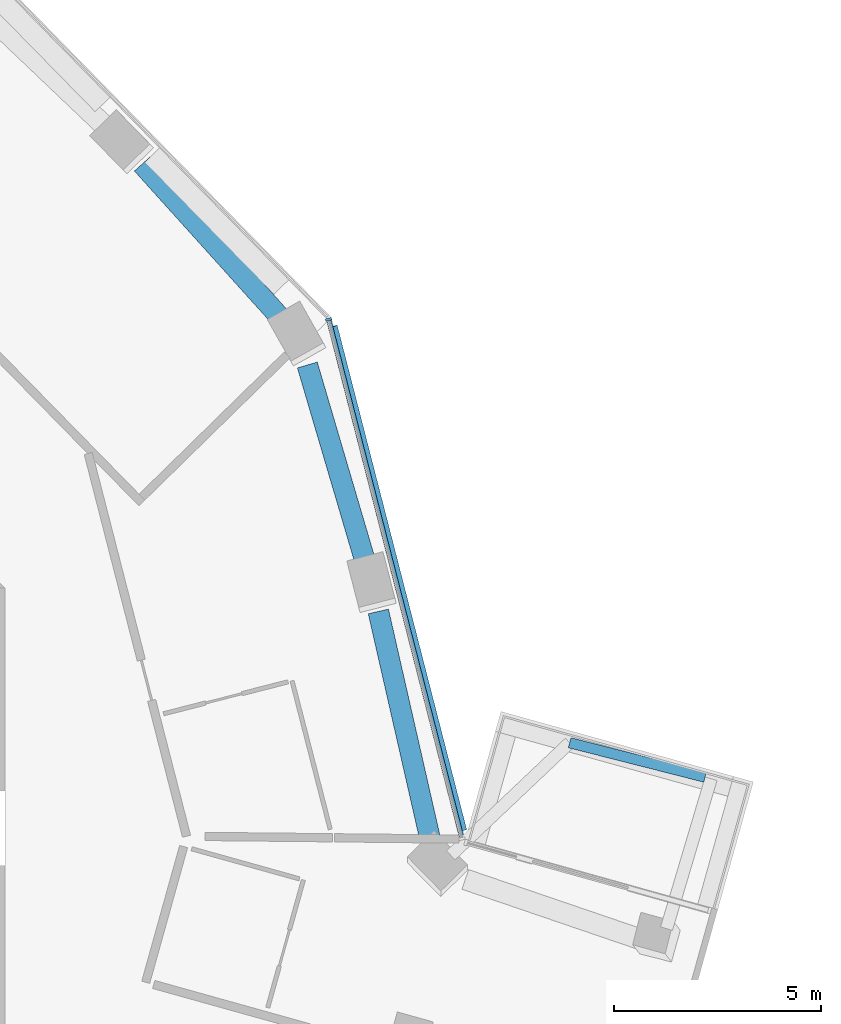
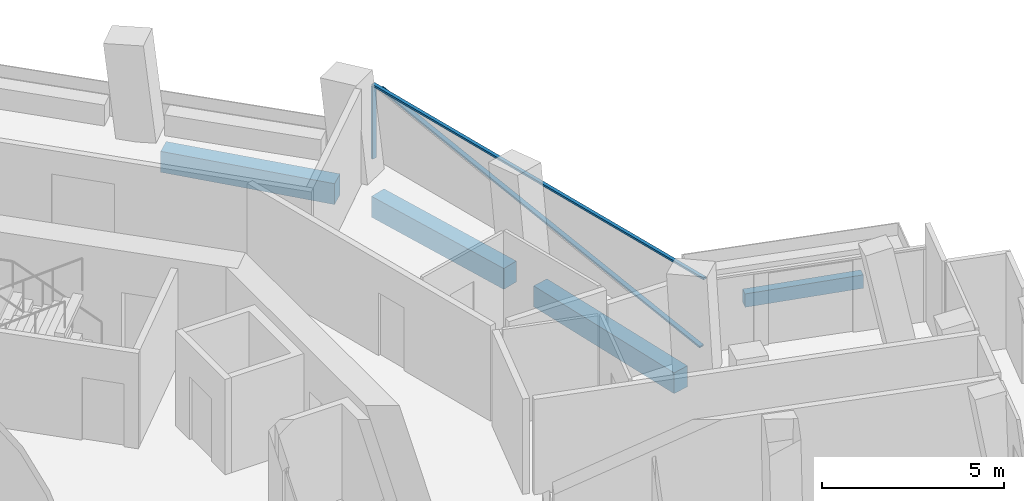
# One storey, part 9 of 26: 4 beams, 3 members, 1 element without a shape of its own.
"""IFC4 building model written with IfcOpenShell, lengths in metres."""

from ifc_helpers import new_model, si_unit, direction, frame, origin, origin_2d, place, context, subcontext, project, spatial, rectangle, extrude, material, layer, layer_set, material_profile, profile_set, type_object, element, aggregate, save


model = new_model("IFC4")

# Units and contexts
model_context = context("Model", 3, precision=1e-05, world=origin(), true_north=direction((0.0, 1.0)))
body_context = subcontext(model_context, "Body", "Model", "MODEL_VIEW")
ifc_project = project(units=[si_unit("LENGTHUNIT", "METRE"), si_unit("AREAUNIT", "SQUARE_METRE"), si_unit("VOLUMEUNIT", "CUBIC_METRE"), si_unit("PLANEANGLEUNIT", "RADIAN"), si_unit("MASSUNIT", "GRAM", prefix="KILO")], contexts=[model_context])

# Site, building, storey
site_placement = place(None, origin())
site = spatial("IfcSite", under=ifc_project, at=site_placement, CompositionType="ELEMENT")
building_placement = place(site_placement, origin())
building = spatial("IfcBuilding", under=site, at=building_placement, Name="Verdalira Terraces Hotel", CompositionType="ELEMENT")
storey_placement = place(building_placement, frame((0.0, 0.0, 93.0)))
storey = spatial("IfcBuildingStorey", under=building, at=storey_placement, Name="L21", CompositionType="ELEMENT", Elevation=93.0)

# Beam
ifc_material_1 = material(Name="Concrete C40", Category="concrete")
ifc_material_profile_1 = material_profile(ifc_material_1, rectangle(XDim=0.25, YDim=0.449951, at=origin_2d()), Name="RC 250X450")
ifc_profile_set_1 = profile_set([ifc_material_profile_1], Name="Concrete C40")
beam_type_1 = type_object("IfcBeamType", Name="Balcony edge beam RC 250X450 C40", PredefinedType="BEAM", material=ifc_profile_set_1)
beam_1_placement = place(storey_placement, frame((30.897461, 1.23291, -0.534912), z_axis=(-0.969172341, 0.246383795, 0.0), x_axis=(-0.246383795, -0.969172341, 0.0)))
element("IfcBeam", 1, at=beam_1_placement, inside=storey, type_object=beam_type_1, Name="Balcony edge beam R38-1", PredefinedType="BEAM", context=body_context, shape_type="SweptSolid", body=[
    extrude(rectangle(XDim=0.25, YDim=0.449951, at=origin_2d()), origin(), (0.0, 0.0, 1.0), 3.37207),
])

# Curtain wall, members
ifc_material_2 = material(Name="Clear glass", Category="glass")
ifc_layer = layer(ifc_material_2, 0.14990234375)
ifc_layer_set = layer_set([ifc_layer], Name="CW1 curtain wall")
curtain_wall_type = type_object("IfcCurtainWallType", Name="CW1 curtain wall", PredefinedType="NOTDEFINED", material=ifc_layer_set)
curtain_wall_placement = place(storey_placement, origin())
curtain_wall = element("IfcCurtainWall", 2, at=curtain_wall_placement, inside=storey, type_object=curtain_wall_type, Name="CW1 curtain wall L21 edge 39", PredefinedType="NOTDEFINED")
ifc_material_3 = material(Name="Terracotta frame", Category="masonry")
ifc_material_profile_2 = material_profile(ifc_material_3, rectangle(XDim=0.060059, YDim=0.149902, at=origin_2d()), Name="MU 60x150")
ifc_profile_set_2 = profile_set([ifc_material_profile_2], Name="Terracotta frame")
member_type_1 = type_object("IfcMemberType", Name="CW1 mullion 60x150", PredefinedType="MULLION", material=ifc_profile_set_2)
member_1_placement = place(storey_placement, frame((21.814453, 12.280762, 0.0), z_axis=(0.0, 0.0, 1.0), x_axis=(-0.248689887, 0.968583161, 0.0)))
member_1 = element("IfcMember", 3, at=member_1_placement, type_object=member_type_1, Name="CW1 mullion", PredefinedType="MULLION", context=body_context, shape_type="SweptSolid", body=[
    extrude(rectangle(XDim=0.060059, YDim=0.149902, at=origin_2d()), origin(), (0.0, 0.0, 1.0), 2.425049),
])
ifc_material_4 = material(Name="Terracotta frame", Category="masonry")
ifc_material_profile_3 = material_profile(ifc_material_4, rectangle(XDim=0.110107, YDim=0.064941, at=origin_2d()), Name="TR 65x110")
ifc_profile_set_3 = profile_set([ifc_material_profile_3], Name="Terracotta frame")
member_type_2 = type_object("IfcMemberType", Name="CW1 transom 65x110", PredefinedType="USERDEFINED", material=ifc_profile_set_3)
member_2_placement = place(storey_placement, frame((25.040039, -0.281738, 2.45752), z_axis=(-0.248681676, 0.968585269, 0.0), x_axis=(-0.968585269, -0.248681676, 0.0)))
member_2 = element("IfcMember", 4, at=member_2_placement, type_object=member_type_2, Name="CW1 transom", ObjectType="TRANSOM", PredefinedType="USERDEFINED", context=body_context, shape_type="SweptSolid", body=[
    extrude(rectangle(XDim=0.110107, YDim=0.064941, at=origin_2d()), origin(), (0.0, 0.0, 1.0), 13.000244),
])
ifc_material_5 = material(Name="Terracotta frame", Category="masonry")
ifc_material_profile_4 = material_profile(ifc_material_5, rectangle(XDim=0.149902, YDim=0.060059, at=origin_2d()), Name="GB 60x150")
ifc_profile_set_4 = profile_set([ifc_material_profile_4], Name="Terracotta frame")
member_type_3 = type_object("IfcMemberType", Name="Diagonal glazing bar 60x150", PredefinedType="USERDEFINED", material=ifc_profile_set_4)
member_3_placement = place(storey_placement, frame((25.072021, -0.047852, 0.029785), z_axis=(-0.244395407, 0.951856799, 0.185039235), x_axis=(-0.968583132, -0.248690001, 0.0)))
member_3 = element("IfcMember", 5, at=member_3_placement, type_object=member_type_3, Name="Diagonal glazing bar", ObjectType="GLAZING BAR", PredefinedType="USERDEFINED", context=body_context, shape_type="SweptSolid", body=[
    extrude(rectangle(XDim=0.149902, YDim=0.060059, at=origin_2d()), origin(), (0.0, 0.0, 1.0), 12.783691),
])
aggregate(curtain_wall, [member_1, member_2, member_3])

# Beams
ifc_material_6 = material(Name="Concrete C70", Category="concrete")
ifc_material_profile_5 = material_profile(ifc_material_6, rectangle(XDim=0.5, YDim=0.699951, at=origin_2d()), Name="RC 500X700")
ifc_profile_set_5 = profile_set([ifc_material_profile_5], Name="Concrete C70")
beam_type_2 = type_object("IfcBeamType", Name="Spandrel beam RC 500X700 C70", PredefinedType="SPANDREL", material=ifc_profile_set_5)
beam_2_placement = place(storey_placement, frame((24.271973, -0.296631, -0.659912), z_axis=(-0.221950413, 0.975057954, 0.0), x_axis=(-0.975057954, -0.221950413, 0.0)))
element("IfcBeam", 6, at=beam_2_placement, inside=storey, type_object=beam_type_2, Name="Spandrel beam B24", PredefinedType="SPANDREL", context=body_context, shape_type="SweptSolid", body=[
    extrude(rectangle(XDim=0.5, YDim=0.699951, at=origin_2d()), origin(), (0.0, 0.0, 1.0), 5.671387),
])
beam_3_placement = place(storey_placement, frame((22.71582, 6.37207, -0.659912), z_axis=(-0.282611969, 0.959234317, 0.0), x_axis=(-0.959234317, -0.282611969, 0.0)))
element("IfcBeam", 7, at=beam_3_placement, inside=storey, type_object=beam_type_2, Name="Spandrel beam B25", PredefinedType="SPANDREL", context=body_context, shape_type="SweptSolid", body=[
    extrude(rectangle(XDim=0.5, YDim=0.699951, at=origin_2d()), origin(), (0.0, 0.0, 1.0), 5.012207),
])
beam_4_placement = place(storey_placement, frame((20.668945, 12.302979, -0.659912), z_axis=(-0.669424493, 0.742880104, 0.0), x_axis=(-0.742880104, -0.669424493, 0.0)))
element("IfcBeam", 8, at=beam_4_placement, inside=storey, type_object=beam_type_2, Name="Spandrel beam B26", PredefinedType="SPANDREL", context=body_context, shape_type="SweptSolid", body=[
    extrude(rectangle(XDim=0.5, YDim=0.699951, at=origin_2d()), origin(), (0.0, 0.0, 1.0), 5.015381),
])

save(model, "model.ifc")
